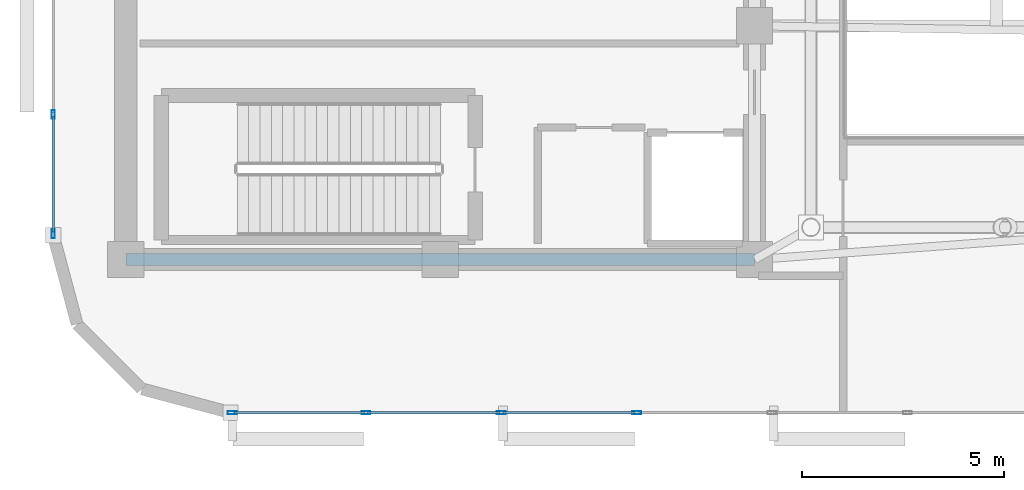
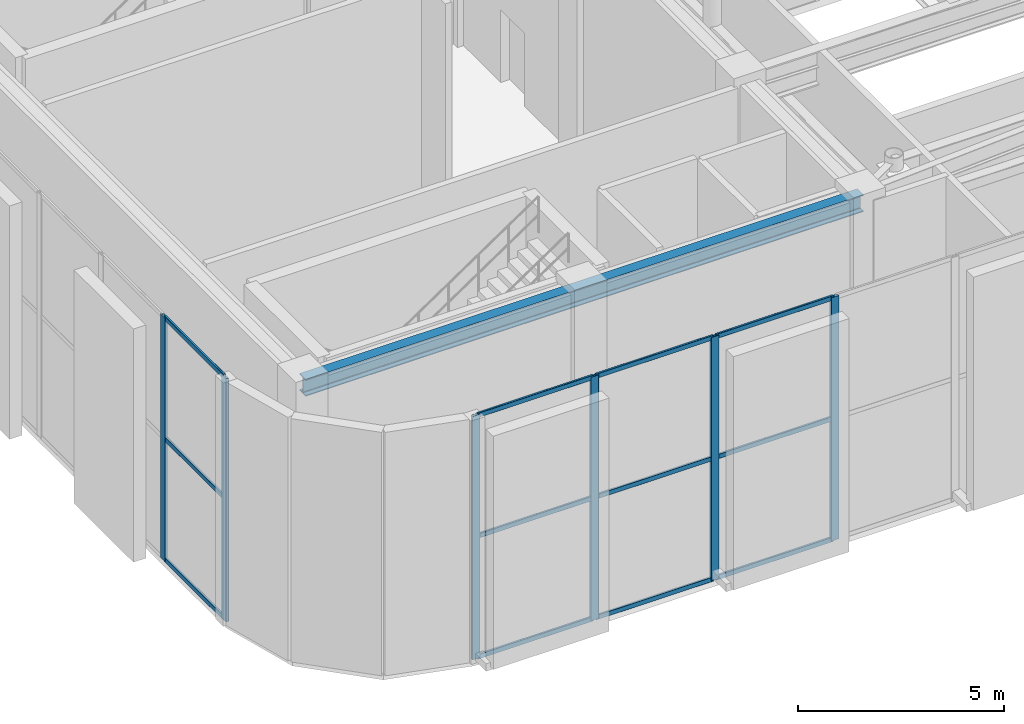
# One storey, part 2 of 20: 18 members, 1 beam, 2 elements without a shape of their own.
"""IFC4 building model written with IfcOpenShell, lengths in metres."""

from ifc_helpers import new_model, si_unit, direction, frame, origin, origin_2d, place, context, subcontext, project, spatial, hollow_rectangle, i_section, extrude, material, layer, layer_set, material_profile, profile_set, type_object, element, aggregate, save


model = new_model("IFC4")

# Units and contexts
model_context = context("Model", 3, precision=1e-05, world=origin(), true_north=direction((0.0, 1.0)))
body_context = subcontext(model_context, "Body", "Model", "MODEL_VIEW")
ifc_project = project(units=[si_unit("LENGTHUNIT", "METRE"), si_unit("AREAUNIT", "SQUARE_METRE"), si_unit("VOLUMEUNIT", "CUBIC_METRE"), si_unit("PLANEANGLEUNIT", "RADIAN"), si_unit("MASSUNIT", "GRAM", prefix="KILO")], contexts=[model_context])

# Site, building, storey
site_placement = place(None, origin())
site = spatial("IfcSite", under=ifc_project, at=site_placement, CompositionType="ELEMENT")
building_placement = place(site_placement, origin())
building = spatial("IfcBuilding", under=site, at=building_placement, Name="An Khanh Terracotta Commons", CompositionType="ELEMENT")
storey_placement = place(building_placement, frame((0.0, 0.0, 308.0)))
storey = spatial("IfcBuildingStorey", under=building, at=storey_placement, Name="L79 Crown Damper Gallery", CompositionType="ELEMENT", Elevation=308.0)

# Beam
ifc_material_1 = material(Name="Steel S355J2", Category="steel")
ifc_material_profile_1 = material_profile(ifc_material_1, i_section(OverallWidth=0.300048828125, OverallDepth=0.5, WebThickness=0.014404296875, FlangeThickness=0.028076171875, FilletRadius=0.027099609375, at=origin_2d()), Name="HEB500")
ifc_profile_set_1 = profile_set([ifc_material_profile_1], Name="Steel S355J2")
beam_type = type_object("IfcBeamType", Name="BM-HEB500", PredefinedType="BEAM", material=ifc_profile_set_1)
beam_placement = place(storey_placement, frame((21.60009765625, 14.39990234375, 6.699951171875), z_axis=(1.0, 0.0, 0.0), x_axis=(0.0, 1.0, 0.0)))
element("IfcBeam", 1, at=beam_placement, inside=storey, type_object=beam_type, Name="L79 Crown Damper Gallery Core South Coupling Girder", PredefinedType="BEAM", context=body_context, shape_type="SweptSolid", body=[
    extrude(i_section(OverallWidth=0.300048828125, OverallDepth=0.5, WebThickness=0.014404296875, FlangeThickness=0.028076171875, FilletRadius=0.027099609375, at=origin_2d()), origin(), (0.0, 0.0, 1.0), 15.599853515625),
])

# Curtain wall, members
ifc_material_2 = material(Name="Anodised Aluminium 6063-T6", Category="aluminium")
ifc_layer = layer(ifc_material_2, 0.25, Name="Anodised Aluminium 6063-T6")
ifc_layer_set = layer_set([ifc_layer], Name="Anodised Aluminium 6063-T6")
curtain_wall_type = type_object("IfcCurtainWallType", Name="CW-SYS-05", PredefinedType="USERDEFINED", material=ifc_layer_set)
curtain_wall_1_placement = place(storey_placement, origin())
curtain_wall_1 = element("IfcCurtainWall", 2, at=curtain_wall_1_placement, inside=storey, type_object=curtain_wall_type, Name="L79 Crown Damper Gallery CW-05 Unitised Curtain Wall CW-L79-04", ObjectType="UNITISED CURTAIN WALL", PredefinedType="USERDEFINED")
ifc_material_profile_2 = material_profile(ifc_material_2, hollow_rectangle(XDim=0.080078125, YDim=0.219970703125, WallThickness=0.0048828125, InnerFilletRadius=0.0048828125, OuterFilletRadius=0.010009765625, at=origin_2d()), Name="RHS220x80x5")
ifc_profile_set_2 = profile_set([ifc_material_profile_2], Name="Anodised Aluminium 6063-T6")
member_type_1 = type_object("IfcMemberType", Name="CWM-RHS220x80x5", PredefinedType="MULLION", material=ifc_profile_set_2)
member_1_placement = place(storey_placement, frame((24.239990234375, 10.60009765625, 0.0), z_axis=(0.0, 0.0, 1.0), x_axis=(0.0, 1.0, 0.0)))
member_1 = element("IfcMember", 3, at=member_1_placement, type_object=member_type_1, Name="CW-05 mullion 1", PredefinedType="MULLION", context=body_context, shape_type="SweptSolid", body=[
    extrude(hollow_rectangle(XDim=0.080078125, YDim=0.219970703125, WallThickness=0.0048828125, InnerFilletRadius=0.0048828125, OuterFilletRadius=0.010009765625, at=origin_2d()), origin(), (0.0, 0.0, 1.0), 7.199951171875),
])
member_2_placement = place(storey_placement, frame((27.559326171875, 10.60009765625, 0.0), z_axis=(0.0, 0.0, 1.0), x_axis=(0.0, 1.0, 0.0)))
member_2 = element("IfcMember", 4, at=member_2_placement, type_object=member_type_1, Name="CW-05 mullion 2", PredefinedType="MULLION", context=body_context, shape_type="SweptSolid", body=[
    extrude(hollow_rectangle(XDim=0.080078125, YDim=0.219970703125, WallThickness=0.0048828125, InnerFilletRadius=0.0048828125, OuterFilletRadius=0.010009765625, at=origin_2d()), origin(), (0.0, 0.0, 1.0), 7.199951171875),
])
member_3_placement = place(storey_placement, frame((30.918701171875, 10.60009765625, 0.0), z_axis=(0.0, 0.0, 1.0), x_axis=(0.0, 1.0, 0.0)))
member_3 = element("IfcMember", 5, at=member_3_placement, type_object=member_type_1, Name="CW-05 mullion 3", PredefinedType="MULLION", context=body_context, shape_type="SweptSolid", body=[
    extrude(hollow_rectangle(XDim=0.080078125, YDim=0.219970703125, WallThickness=0.0048828125, InnerFilletRadius=0.0048828125, OuterFilletRadius=0.010009765625, at=origin_2d()), origin(), (0.0, 0.0, 1.0), 7.199951171875),
])
member_4_placement = place(storey_placement, frame((34.2783203125, 10.60009765625, 0.0), z_axis=(0.0, 0.0, 1.0), x_axis=(0.0, 1.0, 0.0)))
member_4 = element("IfcMember", 6, at=member_4_placement, type_object=member_type_1, Name="CW-05 mullion 4", PredefinedType="MULLION", context=body_context, shape_type="SweptSolid", body=[
    extrude(hollow_rectangle(XDim=0.080078125, YDim=0.219970703125, WallThickness=0.0048828125, InnerFilletRadius=0.0048828125, OuterFilletRadius=0.010009765625, at=origin_2d()), origin(), (0.0, 0.0, 1.0), 7.199951171875),
])

curtain_wall_2_placement = place(storey_placement, origin())
curtain_wall_2 = element("IfcCurtainWall", 7, at=curtain_wall_2_placement, inside=storey, type_object=curtain_wall_type, Name="L79 Crown Damper Gallery CW-05 Unitised Curtain Wall CW-L79-24", ObjectType="UNITISED CURTAIN WALL", PredefinedType="USERDEFINED")
member_5_placement = place(storey_placement, frame((19.800048828125, 18.0, 0.0), z_axis=(0.0, 0.0, 1.0), x_axis=(1.0, 0.0, 0.0)))
member_5 = element("IfcMember", 8, at=member_5_placement, type_object=member_type_1, Name="CW-05 mullion 6", PredefinedType="MULLION", context=body_context, shape_type="SweptSolid", body=[
    extrude(hollow_rectangle(XDim=0.080078125, YDim=0.219970703125, WallThickness=0.0048828125, InnerFilletRadius=0.0048828125, OuterFilletRadius=0.010009765625, at=origin_2d()), origin(), (0.0, 0.0, 1.0), 7.199951171875),
])
member_6_placement = place(storey_placement, frame((19.800048828125, 15.0400390625, 0.0), z_axis=(0.0, 0.0, 1.0), x_axis=(1.0, 0.0, 0.0)))
member_6 = element("IfcMember", 9, at=member_6_placement, type_object=member_type_1, Name="CW-05 mullion 7", PredefinedType="MULLION", context=body_context, shape_type="SweptSolid", body=[
    extrude(hollow_rectangle(XDim=0.080078125, YDim=0.219970703125, WallThickness=0.0048828125, InnerFilletRadius=0.0048828125, OuterFilletRadius=0.010009765625, at=origin_2d()), origin(), (0.0, 0.0, 1.0), 7.199951171875),
])

# Member
ifc_material_profile_3 = material_profile(ifc_material_2, hollow_rectangle(XDim=0.06005859375, YDim=0.135009765625, WallThickness=0.003662109375, InnerFilletRadius=0.003662109375, OuterFilletRadius=0.007080078125, at=origin_2d()), Name="RHS135x60x3.6")
ifc_profile_set_3 = profile_set([ifc_material_profile_3], Name="Anodised Aluminium 6063-T6")
member_type_2 = type_object("IfcMemberType", Name="CWT-RHS135x60x3.6", PredefinedType="USERDEFINED", material=ifc_profile_set_3)
member_7_placement = place(storey_placement, frame((24.280029296875, 10.60009765625, 0.030029296875), z_axis=(1.0, 0.0, 0.0), x_axis=(0.0, 1.0, 0.0)))
member_7 = element("IfcMember", 10, at=member_7_placement, type_object=member_type_2, Name="CW-05 transom 1.1", ObjectType="TRANSOM", PredefinedType="USERDEFINED", context=body_context, shape_type="SweptSolid", body=[
    extrude(hollow_rectangle(XDim=0.06005859375, YDim=0.135009765625, WallThickness=0.003662109375, InnerFilletRadius=0.003662109375, OuterFilletRadius=0.007080078125, at=origin_2d()), origin(), (0.0, 0.0, 1.0), 3.2392578125),
])

member_8_placement = place(storey_placement, frame((24.280029296875, 10.60009765625, 3.60009765625), z_axis=(1.0, 0.0, 0.0), x_axis=(0.0, 1.0, 0.0)))
member_8 = element("IfcMember", 11, at=member_8_placement, type_object=member_type_2, Name="CW-05 transom 1.2", ObjectType="TRANSOM", PredefinedType="USERDEFINED", context=body_context, shape_type="SweptSolid", body=[
    extrude(hollow_rectangle(XDim=0.06005859375, YDim=0.135009765625, WallThickness=0.003662109375, InnerFilletRadius=0.003662109375, OuterFilletRadius=0.007080078125, at=origin_2d()), origin(), (0.0, 0.0, 1.0), 3.2392578125),
])

member_9_placement = place(storey_placement, frame((24.280029296875, 10.60009765625, 7.169921875), z_axis=(1.0, 0.0, 0.0), x_axis=(0.0, 1.0, 0.0)))
member_9 = element("IfcMember", 12, at=member_9_placement, type_object=member_type_2, Name="CW-05 transom 1.3", ObjectType="TRANSOM", PredefinedType="USERDEFINED", context=body_context, shape_type="SweptSolid", body=[
    extrude(hollow_rectangle(XDim=0.06005859375, YDim=0.135009765625, WallThickness=0.003662109375, InnerFilletRadius=0.003662109375, OuterFilletRadius=0.007080078125, at=origin_2d()), origin(), (0.0, 0.0, 1.0), 3.2392578125),
])

member_10_placement = place(storey_placement, frame((27.599365234375, 10.60009765625, 0.030029296875), z_axis=(1.0, 0.0, 0.0), x_axis=(0.0, 1.0, 0.0)))
member_10 = element("IfcMember", 13, at=member_10_placement, type_object=member_type_2, Name="CW-05 transom 2.1", ObjectType="TRANSOM", PredefinedType="USERDEFINED", context=body_context, shape_type="SweptSolid", body=[
    extrude(hollow_rectangle(XDim=0.06005859375, YDim=0.135009765625, WallThickness=0.003662109375, InnerFilletRadius=0.003662109375, OuterFilletRadius=0.007080078125, at=origin_2d()), origin(), (0.0, 0.0, 1.0), 3.279541015625),
])

member_11_placement = place(storey_placement, frame((27.599365234375, 10.60009765625, 3.60009765625), z_axis=(1.0, 0.0, 0.0), x_axis=(0.0, 1.0, 0.0)))
member_11 = element("IfcMember", 14, at=member_11_placement, type_object=member_type_2, Name="CW-05 transom 2.2", ObjectType="TRANSOM", PredefinedType="USERDEFINED", context=body_context, shape_type="SweptSolid", body=[
    extrude(hollow_rectangle(XDim=0.06005859375, YDim=0.135009765625, WallThickness=0.003662109375, InnerFilletRadius=0.003662109375, OuterFilletRadius=0.007080078125, at=origin_2d()), origin(), (0.0, 0.0, 1.0), 3.279541015625),
])

member_12_placement = place(storey_placement, frame((27.599365234375, 10.60009765625, 7.169921875), z_axis=(1.0, 0.0, 0.0), x_axis=(0.0, 1.0, 0.0)))
member_12 = element("IfcMember", 15, at=member_12_placement, type_object=member_type_2, Name="CW-05 transom 2.3", ObjectType="TRANSOM", PredefinedType="USERDEFINED", context=body_context, shape_type="SweptSolid", body=[
    extrude(hollow_rectangle(XDim=0.06005859375, YDim=0.135009765625, WallThickness=0.003662109375, InnerFilletRadius=0.003662109375, OuterFilletRadius=0.007080078125, at=origin_2d()), origin(), (0.0, 0.0, 1.0), 3.279541015625),
])

member_13_placement = place(storey_placement, frame((30.958740234375, 10.60009765625, 0.030029296875), z_axis=(1.0, 0.0, 0.0), x_axis=(0.0, 1.0, 0.0)))
member_13 = element("IfcMember", 16, at=member_13_placement, type_object=member_type_2, Name="CW-05 transom 3.1", ObjectType="TRANSOM", PredefinedType="USERDEFINED", context=body_context, shape_type="SweptSolid", body=[
    extrude(hollow_rectangle(XDim=0.06005859375, YDim=0.135009765625, WallThickness=0.003662109375, InnerFilletRadius=0.003662109375, OuterFilletRadius=0.007080078125, at=origin_2d()), origin(), (0.0, 0.0, 1.0), 3.279541015625),
])

member_14_placement = place(storey_placement, frame((30.958740234375, 10.60009765625, 3.60009765625), z_axis=(1.0, 0.0, 0.0), x_axis=(0.0, 1.0, 0.0)))
member_14 = element("IfcMember", 17, at=member_14_placement, type_object=member_type_2, Name="CW-05 transom 3.2", ObjectType="TRANSOM", PredefinedType="USERDEFINED", context=body_context, shape_type="SweptSolid", body=[
    extrude(hollow_rectangle(XDim=0.06005859375, YDim=0.135009765625, WallThickness=0.003662109375, InnerFilletRadius=0.003662109375, OuterFilletRadius=0.007080078125, at=origin_2d()), origin(), (0.0, 0.0, 1.0), 3.279541015625),
])

member_15_placement = place(storey_placement, frame((30.958740234375, 10.60009765625, 7.169921875), z_axis=(1.0, 0.0, 0.0), x_axis=(0.0, 1.0, 0.0)))
member_15 = element("IfcMember", 18, at=member_15_placement, type_object=member_type_2, Name="CW-05 transom 3.3", ObjectType="TRANSOM", PredefinedType="USERDEFINED", context=body_context, shape_type="SweptSolid", body=[
    extrude(hollow_rectangle(XDim=0.06005859375, YDim=0.135009765625, WallThickness=0.003662109375, InnerFilletRadius=0.003662109375, OuterFilletRadius=0.007080078125, at=origin_2d()), origin(), (0.0, 0.0, 1.0), 3.279541015625),
])

aggregate(curtain_wall_1, [member_1, member_2, member_3, member_4, member_7, member_8, member_9, member_10, member_11, member_12, member_13, member_14, member_15])

member_16_placement = place(storey_placement, frame((19.800048828125, 17.9599609375, 0.030029296875), z_axis=(0.0, -1.0, 0.0), x_axis=(1.0, 0.0, 0.0)))
member_16 = element("IfcMember", 19, at=member_16_placement, type_object=member_type_2, Name="CW-05 transom 6.1", ObjectType="TRANSOM", PredefinedType="USERDEFINED", context=body_context, shape_type="SweptSolid", body=[
    extrude(hollow_rectangle(XDim=0.06005859375, YDim=0.135009765625, WallThickness=0.003662109375, InnerFilletRadius=0.003662109375, OuterFilletRadius=0.007080078125, at=origin_2d()), origin(), (0.0, 0.0, 1.0), 2.8798828125),
])

member_17_placement = place(storey_placement, frame((19.800048828125, 17.9599609375, 3.60009765625), z_axis=(0.0, -1.0, 0.0), x_axis=(1.0, 0.0, 0.0)))
member_17 = element("IfcMember", 20, at=member_17_placement, type_object=member_type_2, Name="CW-05 transom 6.2", ObjectType="TRANSOM", PredefinedType="USERDEFINED", context=body_context, shape_type="SweptSolid", body=[
    extrude(hollow_rectangle(XDim=0.06005859375, YDim=0.135009765625, WallThickness=0.003662109375, InnerFilletRadius=0.003662109375, OuterFilletRadius=0.007080078125, at=origin_2d()), origin(), (0.0, 0.0, 1.0), 2.8798828125),
])

member_18_placement = place(storey_placement, frame((19.800048828125, 17.9599609375, 7.169921875), z_axis=(0.0, -1.0, 0.0), x_axis=(1.0, 0.0, 0.0)))
member_18 = element("IfcMember", 21, at=member_18_placement, type_object=member_type_2, Name="CW-05 transom 6.3", ObjectType="TRANSOM", PredefinedType="USERDEFINED", context=body_context, shape_type="SweptSolid", body=[
    extrude(hollow_rectangle(XDim=0.06005859375, YDim=0.135009765625, WallThickness=0.003662109375, InnerFilletRadius=0.003662109375, OuterFilletRadius=0.007080078125, at=origin_2d()), origin(), (0.0, 0.0, 1.0), 2.8798828125),
])

aggregate(curtain_wall_2, [member_5, member_6, member_16, member_17, member_18])

save(model, "model.ifc")
